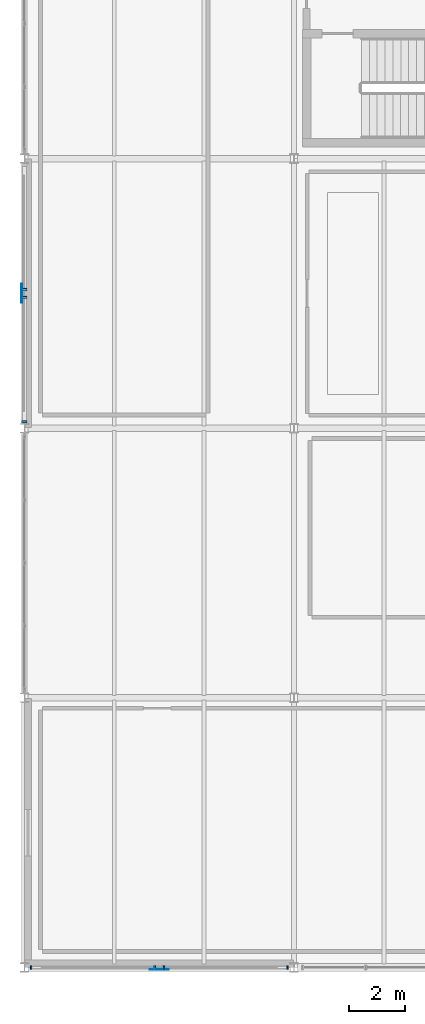
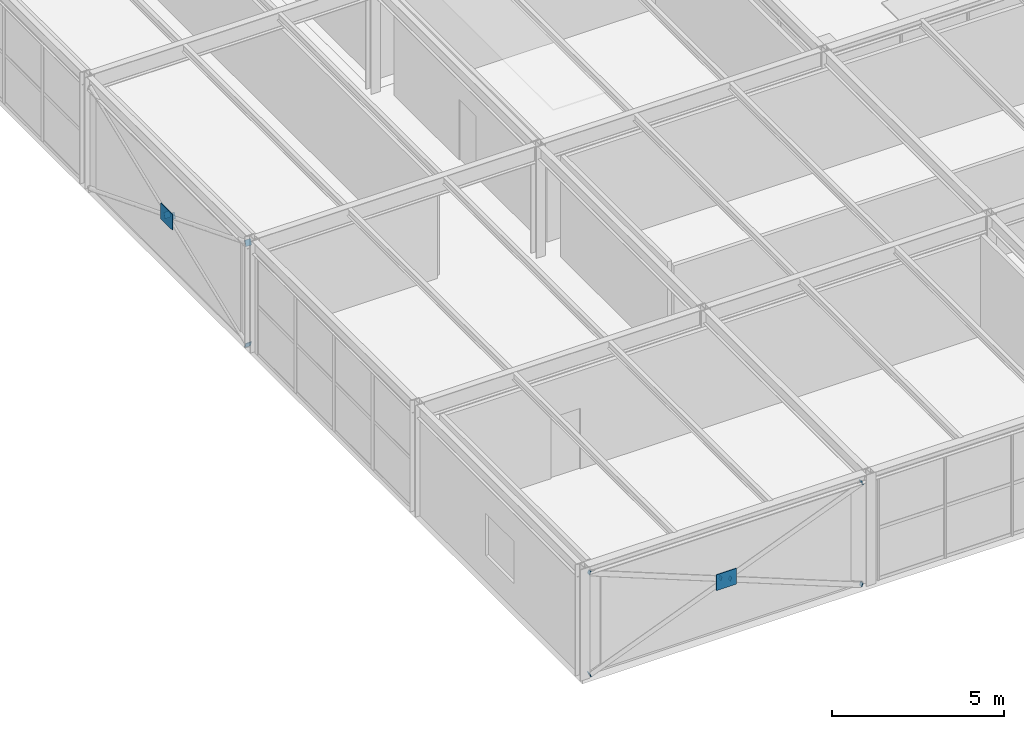
# One storey, part 41 of 50: 12 plates.
"""IFC4 building model written with IfcOpenShell, lengths in metres."""

from ifc_helpers import new_model, si_unit, direction, frame, origin, origin_2d, place, context, subcontext, project, spatial, rectangle, extrude, material, layer, layer_set, type_object, element, save


model = new_model("IFC4")

# Units and contexts
model_context = context("Model", 3, precision=1e-05, world=origin(), true_north=direction((0.0, 1.0)))
body_context = subcontext(model_context, "Body", "Model", "MODEL_VIEW")
ifc_project = project(units=[si_unit("LENGTHUNIT", "METRE"), si_unit("AREAUNIT", "SQUARE_METRE"), si_unit("VOLUMEUNIT", "CUBIC_METRE"), si_unit("PLANEANGLEUNIT", "RADIAN"), si_unit("MASSUNIT", "GRAM", prefix="KILO")], contexts=[model_context])

# Site, building, storey
site_placement = place(None, origin())
site = spatial("IfcSite", under=ifc_project, at=site_placement, CompositionType="ELEMENT")
building_placement = place(site_placement, origin())
building = spatial("IfcBuilding", under=site, at=building_placement, Name="Coralgate Yard Interchange", CompositionType="ELEMENT")
storey_placement = place(building_placement, frame((0.0, 0.0, 14.699951171875)))
storey = spatial("IfcBuildingStorey", under=building, at=storey_placement, Name="L03", CompositionType="ELEMENT", Elevation=14.699951171875)

# Plates
ifc_material_1 = material(Name="Structural steel S355J2", Category="steel")
ifc_layer_1 = layer(ifc_material_1, 0.01806640625)
ifc_layer_set_1 = layer_set([ifc_layer_1], Name="Structural steel S355J2")
plate_type_1 = type_object("IfcPlateType", Name="PLT-EP-18", PredefinedType="USERDEFINED", material=ifc_layer_set_1)
for number, where, z_axis, x_axis, name in (
    (1, (0.0, 19.44189453125, 0.02099609375), (0.0, -0.929806613064, -0.368048451025), (1.0, 0.0, 0.0), "Steel hollow section end cap plate CAP-BRC-L03-W-A-0"),
    (2, (0.0, 24.14697265625, 1.7666015625), (0.0, -0.929806613064, 0.368048451025), (1.0, 0.0, 0.0), "Steel hollow section end cap plate CAP-BRC-L03-W-B1-1"),
    (3, (0.0, 23.85302734375, 1.88330078125), (0.0, 0.929806613064, -0.368048451025), (-1.0, 0.0, 0.0), "Steel hollow section end cap plate CAP-BRC-L03-W-B2-0"),
    (4, (0.0, 19.44189453125, 3.629150390625), (0.0, -0.929806613064, 0.368048451025), (1.0, 0.0, 0.0), "Steel hollow section end cap plate CAP-BRC-L03-W-B2-1"),
):
    element("IfcPlate", number, at=place(storey_placement, frame(where, z_axis=z_axis, x_axis=x_axis)), inside=storey, type_object=plate_type_1, Name=name, ObjectType="CAP PLATE", PredefinedType="USERDEFINED", context=body_context, shape_type="SweptSolid", body=[
        extrude(rectangle(XDim=0.197998046875, YDim=0.197998046875, at=origin_2d()), origin(), (0.0, 0.0, 1.0), 0.01806640625),
    ])
for number, where, z_axis, x_axis, name in (
    (5, (0.24169921875, 0.0, 0.02099609375), (-0.929806613064, 0.0, -0.368048451025), (0.0, -1.0, 0.0), "Steel hollow section end cap plate CAP-BRC-L03-S-A-0"),
    (6, (9.358154296875, 0.0, 3.629150390625), (0.929806613064, 0.0, 0.368048451025), (0.0, 1.0, 0.0), "Steel hollow section end cap plate CAP-BRC-L03-S-A-1"),
    (7, (9.358154296875, 0.0, 0.02099609375), (0.929806613064, 0.0, -0.368048451025), (0.0, 1.0, 0.0), "Steel hollow section end cap plate CAP-BRC-L03-S-B1-0"),
    (8, (4.969970703125, 0.0, 1.757568359375), (-0.929806613064, 0.0, 0.368048451025), (0.0, -1.0, 0.0), "Steel hollow section end cap plate CAP-BRC-L03-S-B1-1"),
    (9, (4.6298828125, 0.0, 1.892578125), (0.929806613064, 0.0, -0.368048451025), (0.0, 1.0, 0.0), "Steel hollow section end cap plate CAP-BRC-L03-S-B2-0"),
    (10, (0.24169921875, 0.0, 3.629150390625), (-0.929806613064, 0.0, 0.368048451025), (0.0, -1.0, 0.0), "Steel hollow section end cap plate CAP-BRC-L03-S-B2-1"),
):
    element("IfcPlate", number, at=place(storey_placement, frame(where, z_axis=z_axis, x_axis=x_axis)), inside=storey, type_object=plate_type_1, Name=name, ObjectType="CAP PLATE", PredefinedType="USERDEFINED", context=body_context, shape_type="SweptSolid", body=[
        extrude(rectangle(XDim=0.1298828125, YDim=0.1298828125, at=origin_2d()), origin(), (0.0, 0.0, 1.0), 0.01806640625),
    ])
ifc_material_2 = material(Name="Yellow-ochre weather-coated structural steel S355J2", Category="steel")
ifc_layer_2 = layer(ifc_material_2, 0.02392578125)
ifc_layer_set_2 = layer_set([ifc_layer_2], Name="Yellow-ochre weather-coated structural steel S355J2")
plate_type_2 = type_object("IfcPlateType", Name="PLT-EP-24", PredefinedType="USERDEFINED", material=ifc_layer_set_2)
for number, where, z_axis, x_axis, name in (
    (11, (-0.09521484375, 24.0, 1.544921875), (0.0, 0.0, 1.0), (0.0, 1.0, 0.0), "L03 X-brace crossing gusset plate W"),
    (12, (4.800048828125, -0.06103515625, 1.544921875), (0.0, 0.0, 1.0), (1.0, 0.0, 0.0), "L03 X-brace crossing gusset plate S"),
):
    element("IfcPlate", number, at=place(storey_placement, frame(where, z_axis=z_axis, x_axis=x_axis)), inside=storey, type_object=plate_type_2, Name=name, ObjectType="CAP PLATE", PredefinedType="USERDEFINED", context=body_context, shape_type="SweptSolid", body=[
        extrude(rectangle(XDim=0.679931640625, YDim=0.02392578125, at=origin_2d()), origin(), (0.0, 0.0, 1.0), 0.56005859375),
    ])

save(model, "model.ifc")
